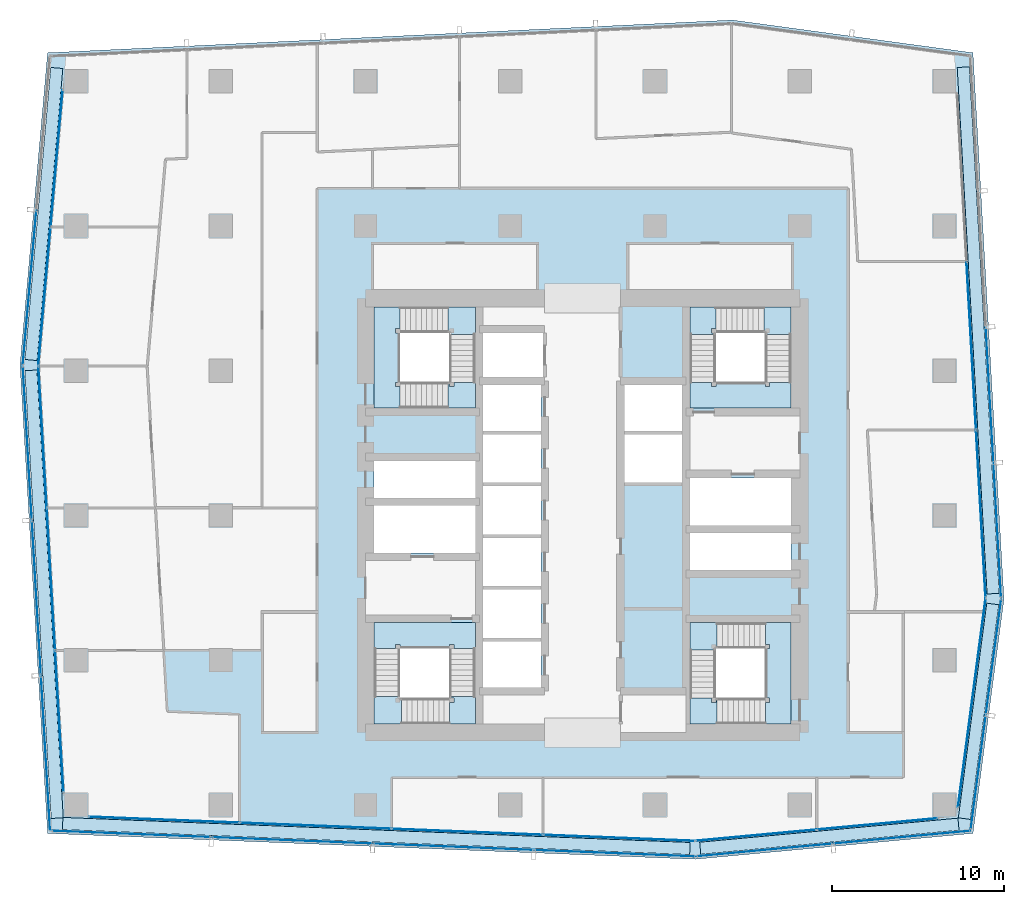
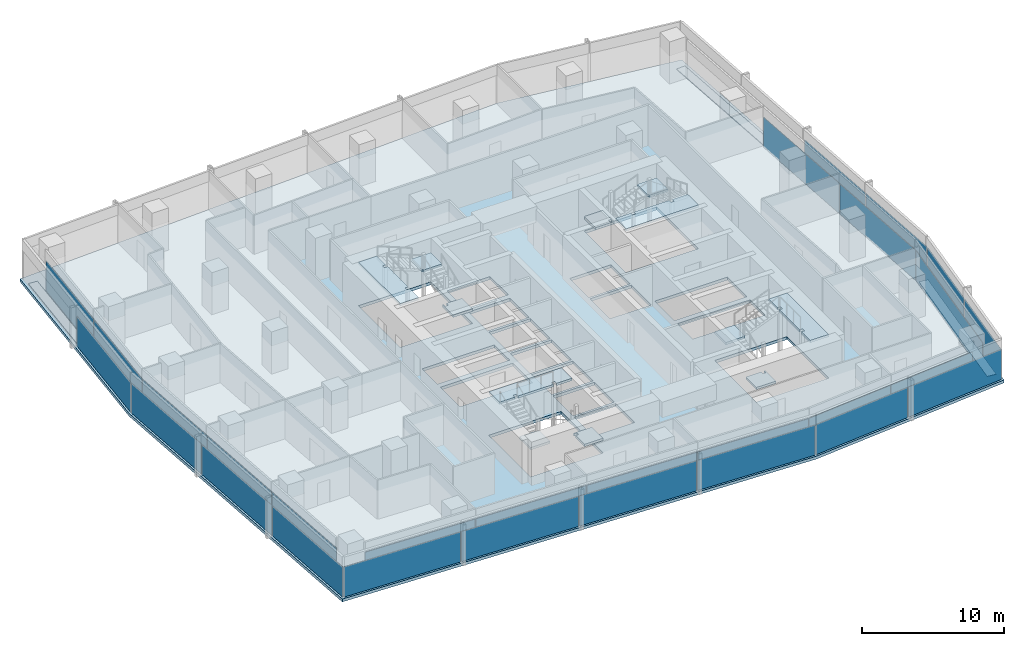
# One storey, part 26 of 39: 34 plates, 13 slabs, 16 elements without a shape of their own.
"""IFC4 building model written with IfcOpenShell, lengths in metres."""

from ifc_helpers import new_model, si_unit, direction, frame, origin, origin_2d, place, context, subcontext, project, spatial, polyline, rectangle, outline, extrude, material, layer, layer_set, type_object, element, aggregate, save


model = new_model("IFC4")

# Units and contexts
model_context = context("Model", 3, precision=1e-05, world=origin(), true_north=direction((0.0, 1.0)))
body_context = subcontext(model_context, "Body", "Model", "MODEL_VIEW")
ifc_project = project(units=[si_unit("LENGTHUNIT", "METRE"), si_unit("AREAUNIT", "SQUARE_METRE"), si_unit("VOLUMEUNIT", "CUBIC_METRE"), si_unit("PLANEANGLEUNIT", "RADIAN"), si_unit("MASSUNIT", "GRAM", prefix="KILO")], contexts=[model_context])

# Site, building, storey
site_placement = place(None, origin())
site = spatial("IfcSite", under=ifc_project, at=site_placement, CompositionType="ELEMENT")
building_placement = place(site_placement, origin())
building = spatial("IfcBuilding", under=site, at=building_placement, Name="Rekha Terrace Tower", CompositionType="ELEMENT")
storey_placement = place(building_placement, frame((0.0, 0.0, 217.699951171875)))
storey = spatial("IfcBuildingStorey", under=building, at=storey_placement, Name="L55", CompositionType="ELEMENT", Elevation=217.699951171875)

# Curtain wall, plates
ifc_material_1 = material(Name="Aluminium framing", Category="aluminium")
curtain_wall_type_1 = type_object("IfcCurtainWallType", Name="CW1 double skin inner glazing", PredefinedType="USERDEFINED", material=ifc_material_1)
curtain_wall_1_placement = place(storey_placement, origin())
curtain_wall_1 = element("IfcCurtainWall", 1, at=curtain_wall_1_placement, inside=storey, type_object=curtain_wall_type_1, Name="CW1 double skin inner glazing", ObjectType="DOUBLE SKIN INNER GLAZING", PredefinedType="USERDEFINED")
ifc_material_2 = material(Name="Double-glazed low-e unit 32", Category="glass")
ifc_layer_1 = layer(ifc_material_2, 0.031982421875)
ifc_layer_set_1 = layer_set([ifc_layer_1], Name="Double-glazed low-e unit 32")
plate_type_1 = type_object("IfcPlateType", Name="CW1 jumbo vision panel, double-glazed low-e unit 32", PredefinedType="CURTAIN_PANEL", material=ifc_layer_set_1)
plate_1_placement = place(storey_placement, frame((13.51318359375, 15.94091796875, 0.0), z_axis=(0.0, 0.0, 1.0), x_axis=(0.999204775798, -0.039872497061, 0.0)))
plate_1 = element("IfcPlate", 2, at=plate_1_placement, type_object=plate_type_1, Name="CW1 panel 1.1", PredefinedType="CURTAIN_PANEL", context=body_context, shape_type="SweptSolid", body=[
    extrude(rectangle(XDim=8.7138671875, YDim=0.031982421875, at=origin_2d()), origin(), (0.0, 0.0, 1.0), 2.60009765625),
])
plate_2_placement = place(storey_placement, frame((22.301025390625, 15.59033203125, 0.0), z_axis=(0.0, 0.0, 1.0), x_axis=(0.999204775798, -0.039872497061, 0.0)))
plate_2 = element("IfcPlate", 3, at=plate_2_placement, type_object=plate_type_1, Name="CW1 panel 2.1", PredefinedType="CURTAIN_PANEL", context=body_context, shape_type="SweptSolid", body=[
    extrude(rectangle(XDim=8.746337890625, YDim=0.031982421875, at=origin_2d()), origin(), (0.0, 0.0, 1.0), 2.60009765625),
])
plate_3_placement = place(storey_placement, frame((31.10546875, 15.239013671875, 0.0), z_axis=(0.0, 0.0, 1.0), x_axis=(0.999204775798, -0.039872497061, 0.0)))
plate_3 = element("IfcPlate", 4, at=plate_3_placement, type_object=plate_type_1, Name="CW1 panel 3.1", PredefinedType="CURTAIN_PANEL", context=body_context, shape_type="SweptSolid", body=[
    extrude(rectangle(XDim=8.746337890625, YDim=0.031982421875, at=origin_2d()), origin(), (0.0, 0.0, 1.0), 2.60009765625),
])
plate_4_placement = place(storey_placement, frame((39.926025390625, 14.886962890625, 0.0), z_axis=(0.0, 0.0, 1.0), x_axis=(0.999204775798, -0.039872497061, 0.0)))
plate_4 = element("IfcPlate", 5, at=plate_4_placement, type_object=plate_type_1, Name="CW1 panel 4.1", PredefinedType="CURTAIN_PANEL", context=body_context, shape_type="SweptSolid", body=[
    extrude(rectangle(XDim=8.77880859375, YDim=0.031982421875, at=origin_2d()), origin(), (0.0, 0.0, 1.0), 2.60009765625),
])
aggregate(curtain_wall_1, [plate_1, plate_2, plate_3, plate_4])

curtain_wall_2_placement = place(storey_placement, origin())
curtain_wall_2 = element("IfcCurtainWall", 6, at=curtain_wall_2_placement, inside=storey, type_object=curtain_wall_type_1, Name="CW1 double skin inner glazing", ObjectType="DOUBLE SKIN INNER GLAZING", PredefinedType="USERDEFINED")
plate_5_placement = place(storey_placement, frame((47.863037109375, 15.042724609375, 0.0), z_axis=(0.0, 0.0, 1.0), x_axis=(0.995693258742, 0.092708869564, 0.0)))
plate_5 = element("IfcPlate", 7, at=plate_5_placement, type_object=plate_type_1, Name="CW1 panel 1.1", PredefinedType="CURTAIN_PANEL", context=body_context, shape_type="SweptSolid", body=[
    extrude(rectangle(XDim=7.003173828125, YDim=0.031982421875, at=origin_2d()), origin(), (0.0, 0.0, 1.0), 2.60009765625),
])
plate_6_placement = place(storey_placement, frame((54.90087890625, 15.697998046875, 0.0), z_axis=(0.0, 0.0, 1.0), x_axis=(0.995693258742, 0.092708869564, 0.0)))
plate_6 = element("IfcPlate", 8, at=plate_6_placement, type_object=plate_type_1, Name="CW1 panel 2.1", PredefinedType="CURTAIN_PANEL", context=body_context, shape_type="SweptSolid", body=[
    extrude(rectangle(XDim=7.003173828125, YDim=0.031982421875, at=origin_2d()), origin(), (0.0, 0.0, 1.0), 2.60009765625),
])
aggregate(curtain_wall_2, [plate_5, plate_6])

# Curtain wall, plate
curtain_wall_3_placement = place(storey_placement, origin())
curtain_wall_3 = element("IfcCurtainWall", 9, at=curtain_wall_3_placement, inside=storey, type_object=curtain_wall_type_1, Name="CW1 double skin inner glazing", ObjectType="DOUBLE SKIN INNER GLAZING", PredefinedType="USERDEFINED")
plate_7_placement = place(storey_placement, frame((60.38330078125, 22.718505859375, 0.0), z_axis=(0.0, 0.0, 1.0), x_axis=(0.131303603093, 0.991342203185, 0.0)))
plate_7 = element("IfcPlate", 10, at=plate_7_placement, type_object=plate_type_1, Name="CW1 panel 1.1", PredefinedType="CURTAIN_PANEL", context=body_context, shape_type="SweptSolid", body=[
    extrude(rectangle(XDim=12.228759765625, YDim=0.031982421875, at=origin_2d()), origin(), (0.0, 0.0, 1.0), 2.60009765625),
])
aggregate(curtain_wall_3, [plate_7])

# Curtain wall, plates
curtain_wall_4_placement = place(storey_placement, origin())
curtain_wall_4 = element("IfcCurtainWall", 11, at=curtain_wall_4_placement, inside=storey, type_object=curtain_wall_type_1, Name="CW1 double skin inner glazing", ObjectType="DOUBLE SKIN INNER GLAZING", PredefinedType="USERDEFINED")
plate_8_placement = place(storey_placement, frame((60.90771484375, 33.68408203125, 0.0), z_axis=(0.0, 0.0, 1.0), x_axis=(-0.05667319486, 0.998392782919, 0.0)))
plate_8 = element("IfcPlate", 12, at=plate_8_placement, type_object=plate_type_1, Name="CW1 panel 1.1", PredefinedType="CURTAIN_PANEL", context=body_context, shape_type="SweptSolid", body=[
    extrude(rectangle(XDim=9.694091796875, YDim=0.031982421875, at=origin_2d()), origin(), (0.0, 0.0, 1.0), 2.60009765625),
])
plate_9_placement = place(storey_placement, frame((60.353759765625, 43.44384765625, 0.0), z_axis=(0.0, 0.0, 1.0), x_axis=(-0.05667319486, 0.998392782919, 0.0)))
plate_9 = element("IfcPlate", 13, at=plate_9_placement, type_object=plate_type_1, Name="CW1 panel 2.1", PredefinedType="CURTAIN_PANEL", context=body_context, shape_type="SweptSolid", body=[
    extrude(rectangle(XDim=9.7265625, YDim=0.031982421875, at=origin_2d()), origin(), (0.0, 0.0, 1.0), 2.60009765625),
])
aggregate(curtain_wall_4, [plate_8, plate_9])

curtain_wall_5_placement = place(storey_placement, origin())
curtain_wall_5 = element("IfcCurtainWall", 14, at=curtain_wall_5_placement, inside=storey, type_object=curtain_wall_type_1, Name="CW1 double skin inner glazing", ObjectType="DOUBLE SKIN INNER GLAZING", PredefinedType="USERDEFINED")
plate_10_placement = place(storey_placement, frame((7.273193359375, 54.32421875, 0.0), z_axis=(0.0, 0.0, 1.0), x_axis=(-0.087957985523, -0.996124185422, 0.0)))
plate_10 = element("IfcPlate", 15, at=plate_10_placement, type_object=plate_type_1, Name="CW1 panel 1.1", PredefinedType="CURTAIN_PANEL", context=body_context, shape_type="SweptSolid", body=[
    extrude(rectangle(XDim=7.950927734375, YDim=0.031982421875, at=origin_2d()), origin(), (0.0, 0.0, 1.0), 2.60009765625),
])
plate_11_placement = place(storey_placement, frame((6.565185546875, 46.306884765625, 0.0), z_axis=(0.0, 0.0, 1.0), x_axis=(-0.087957985523, -0.996124185422, 0.0)))
plate_11 = element("IfcPlate", 16, at=plate_11_placement, type_object=plate_type_1, Name="CW1 panel 2.1", PredefinedType="CURTAIN_PANEL", context=body_context, shape_type="SweptSolid", body=[
    extrude(rectangle(XDim=8.01611328125, YDim=0.031982421875, at=origin_2d()), origin(), (0.0, 0.0, 1.0), 2.60009765625),
])
aggregate(curtain_wall_5, [plate_10, plate_11])

curtain_wall_6_placement = place(storey_placement, origin())
curtain_wall_6 = element("IfcCurtainWall", 17, at=curtain_wall_6_placement, inside=storey, type_object=curtain_wall_type_1, Name="CW1 double skin inner glazing", ObjectType="DOUBLE SKIN INNER GLAZING", PredefinedType="USERDEFINED")
plate_12_placement = place(storey_placement, frame((6.457275390625, 38.1611328125, 0.0), z_axis=(0.0, 0.0, 1.0), x_axis=(0.058765082516, -0.998271839269, 0.0)))
plate_12 = element("IfcPlate", 18, at=plate_12_placement, type_object=plate_type_1, Name="CW1 panel 1.1", PredefinedType="CURTAIN_PANEL", context=body_context, shape_type="SweptSolid", body=[
    extrude(rectangle(XDim=8.19091796875, YDim=0.031982421875, at=origin_2d()), origin(), (0.0, 0.0, 1.0), 2.60009765625),
])
plate_13_placement = place(storey_placement, frame((6.943359375, 29.9033203125, 0.0), z_axis=(0.0, 0.0, 1.0), x_axis=(0.058765082516, -0.998271839269, 0.0)))
plate_13 = element("IfcPlate", 19, at=plate_13_placement, type_object=plate_type_1, Name="CW1 panel 2.1", PredefinedType="CURTAIN_PANEL", context=body_context, shape_type="SweptSolid", body=[
    extrude(rectangle(XDim=8.223388671875, YDim=0.031982421875, at=origin_2d()), origin(), (0.0, 0.0, 1.0), 2.60009765625),
])
plate_14_placement = place(storey_placement, frame((7.429443359375, 21.645263671875, 0.0), z_axis=(0.0, 0.0, 1.0), x_axis=(0.058765082516, -0.998271839269, 0.0)))
plate_14 = element("IfcPlate", 20, at=plate_14_placement, type_object=plate_type_1, Name="CW1 panel 3.1", PredefinedType="CURTAIN_PANEL", context=body_context, shape_type="SweptSolid", body=[
    extrude(rectangle(XDim=8.19091796875, YDim=0.031982421875, at=origin_2d()), origin(), (0.0, 0.0, 1.0), 2.60009765625),
])
aggregate(curtain_wall_6, [plate_12, plate_13, plate_14])

curtain_wall_type_2 = type_object("IfcCurtainWallType", Name="CW2 double skin outer glazing", PredefinedType="USERDEFINED", material=ifc_material_1)
curtain_wall_7_placement = place(storey_placement, origin())
curtain_wall_7 = element("IfcCurtainWall", 21, at=curtain_wall_7_placement, inside=storey, type_object=curtain_wall_type_2, Name="CW2 double skin outer glazing", ObjectType="DOUBLE SKIN OUTER GLAZING", PredefinedType="USERDEFINED")
ifc_material_3 = material(Name="Toughened single glazing 12", Category="glass")
ifc_layer_2 = layer(ifc_material_3, 0.011962890625)
ifc_layer_set_2 = layer_set([ifc_layer_2], Name="Toughened single glazing 12")
plate_type_2 = type_object("IfcPlateType", Name="CW2 jumbo vision panel, toughened single glazing 12", PredefinedType="CURTAIN_PANEL", material=ifc_layer_set_2)
plate_15_placement = place(storey_placement, frame((11.6005859375, 15.116455078125, 0.0), z_axis=(0.0, 0.0, 1.0), x_axis=(0.999204775799, -0.039872497044, 0.0)))
plate_15 = element("IfcPlate", 22, at=plate_15_placement, type_object=plate_type_2, Name="CW2 panel 1.1", PredefinedType="CURTAIN_PANEL", context=body_context, shape_type="SweptSolid", body=[
    extrude(rectangle(XDim=9.24609375, YDim=0.011962890625, at=origin_2d()), origin(), (0.0, 0.0, 1.0), 2.60009765625),
])
plate_16_placement = place(storey_placement, frame((20.939208984375, 14.743896484375, 0.0), z_axis=(0.0, 0.0, 1.0), x_axis=(0.999204775799, -0.039872497044, 0.0)))
plate_16 = element("IfcPlate", 23, at=plate_16_placement, type_object=plate_type_2, Name="CW2 panel 2.1", PredefinedType="CURTAIN_PANEL", context=body_context, shape_type="SweptSolid", body=[
    extrude(rectangle(XDim=9.2861328125, YDim=0.011962890625, at=origin_2d()), origin(), (0.0, 0.0, 1.0), 2.60009765625),
])
plate_17_placement = place(storey_placement, frame((30.2978515625, 14.370361328125, 0.0), z_axis=(0.0, 0.0, 1.0), x_axis=(0.999204775799, -0.039872497044, 0.0)))
plate_17 = element("IfcPlate", 24, at=plate_17_placement, type_object=plate_type_2, Name="CW2 panel 3.1", PredefinedType="CURTAIN_PANEL", context=body_context, shape_type="SweptSolid", body=[
    extrude(rectangle(XDim=9.2861328125, YDim=0.011962890625, at=origin_2d()), origin(), (0.0, 0.0, 1.0), 2.60009765625),
])
plate_18_placement = place(storey_placement, frame((39.676513671875, 13.996337890625, 0.0), z_axis=(0.0, 0.0, 1.0), x_axis=(0.999204775799, -0.039872497044, 0.0)))
plate_18 = element("IfcPlate", 25, at=plate_18_placement, type_object=plate_type_2, Name="CW2 panel 4.1", PredefinedType="CURTAIN_PANEL", context=body_context, shape_type="SweptSolid", body=[
    extrude(rectangle(XDim=9.326171875, YDim=0.011962890625, at=origin_2d()), origin(), (0.0, 0.0, 1.0), 2.60009765625),
])
aggregate(curtain_wall_7, [plate_15, plate_16, plate_17, plate_18])

curtain_wall_8_placement = place(storey_placement, origin())
curtain_wall_8 = element("IfcCurtainWall", 26, at=curtain_wall_8_placement, inside=storey, type_object=curtain_wall_type_2, Name="CW2 double skin outer glazing", ObjectType="DOUBLE SKIN OUTER GLAZING", PredefinedType="USERDEFINED")
plate_19_placement = place(storey_placement, frame((48.348876953125, 14.183837890625, 0.0), z_axis=(0.0, 0.0, 1.0), x_axis=(0.995693258747, 0.092708869512, 0.0)))
plate_19 = element("IfcPlate", 27, at=plate_19_placement, type_object=plate_type_2, Name="CW2 panel 1.1", PredefinedType="CURTAIN_PANEL", context=body_context, shape_type="SweptSolid", body=[
    extrude(rectangle(XDim=7.900634765625, YDim=0.011962890625, at=origin_2d()), origin(), (0.0, 0.0, 1.0), 2.60009765625),
])
plate_20_placement = place(storey_placement, frame((56.3349609375, 14.927490234375, 0.0), z_axis=(0.0, 0.0, 1.0), x_axis=(0.995693258747, 0.092708869512, 0.0)))
plate_20 = element("IfcPlate", 28, at=plate_20_placement, type_object=plate_type_2, Name="CW2 panel 2.1", PredefinedType="CURTAIN_PANEL", context=body_context, shape_type="SweptSolid", body=[
    extrude(rectangle(XDim=7.980712890625, YDim=0.011962890625, at=origin_2d()), origin(), (0.0, 0.0, 1.0), 2.60009765625),
])
aggregate(curtain_wall_8, [plate_19, plate_20])

curtain_wall_9_placement = place(storey_placement, origin())
curtain_wall_9 = element("IfcCurtainWall", 29, at=curtain_wall_9_placement, inside=storey, type_object=curtain_wall_type_2, Name="CW2 double skin outer glazing", ObjectType="DOUBLE SKIN OUTER GLAZING", PredefinedType="USERDEFINED")
plate_21_placement = place(storey_placement, frame((60.756103515625, 18.679443359375, 0.0), z_axis=(0.0, 0.0, 1.0), x_axis=(0.131303603075, 0.991342203187, 0.0)))
plate_21 = element("IfcPlate", 30, at=plate_21_placement, type_object=plate_type_2, Name="CW2 panel 1.1", PredefinedType="CURTAIN_PANEL", context=body_context, shape_type="SweptSolid", body=[
    extrude(rectangle(XDim=6.6630859375, YDim=0.011962890625, at=origin_2d()), origin(), (0.0, 0.0, 1.0), 2.60009765625),
])
plate_22_placement = place(storey_placement, frame((61.646728515625, 25.40380859375, 0.0), z_axis=(0.0, 0.0, 1.0), x_axis=(0.131303603075, 0.991342203187, 0.0)))
plate_22 = element("IfcPlate", 31, at=plate_22_placement, type_object=plate_type_2, Name="CW2 panel 2.1", PredefinedType="CURTAIN_PANEL", context=body_context, shape_type="SweptSolid", body=[
    extrude(rectangle(XDim=6.742919921875, YDim=0.011962890625, at=origin_2d()), origin(), (0.0, 0.0, 1.0), 2.60009765625),
])
aggregate(curtain_wall_9, [plate_21, plate_22])

curtain_wall_10_placement = place(storey_placement, origin())
curtain_wall_10 = element("IfcCurtainWall", 32, at=curtain_wall_10_placement, inside=storey, type_object=curtain_wall_type_2, Name="CW2 double skin outer glazing", ObjectType="DOUBLE SKIN OUTER GLAZING", PredefinedType="USERDEFINED")
plate_23_placement = place(storey_placement, frame((61.8642578125, 32.71142578125, 0.0), z_axis=(0.0, 0.0, 1.0), x_axis=(-0.05667319486, 0.998392782919, 0.0)))
plate_23 = element("IfcPlate", 33, at=plate_23_placement, type_object=plate_type_2, Name="CW2 panel 1.1", PredefinedType="CURTAIN_PANEL", context=body_context, shape_type="SweptSolid", body=[
    extrude(rectangle(XDim=7.783447265625, YDim=0.011962890625, at=origin_2d()), origin(), (0.0, 0.0, 1.0), 2.60009765625),
])
plate_24_placement = place(storey_placement, frame((61.41748046875, 40.582275390625, 0.0), z_axis=(0.0, 0.0, 1.0), x_axis=(-0.05667319486, 0.998392782919, 0.0)))
plate_24 = element("IfcPlate", 34, at=plate_24_placement, type_object=plate_type_2, Name="CW2 panel 2.1", PredefinedType="CURTAIN_PANEL", context=body_context, shape_type="SweptSolid", body=[
    extrude(rectangle(XDim=7.823486328125, YDim=0.011962890625, at=origin_2d()), origin(), (0.0, 0.0, 1.0), 2.60009765625),
])
aggregate(curtain_wall_10, [plate_23, plate_24])

# Curtain wall, plate
curtain_wall_11_placement = place(storey_placement, origin())
curtain_wall_11 = element("IfcCurtainWall", 35, at=curtain_wall_11_placement, inside=storey, type_object=curtain_wall_type_2, Name="CW2 double skin outer glazing", ObjectType="DOUBLE SKIN OUTER GLAZING", PredefinedType="USERDEFINED")
plate_25_placement = place(storey_placement, frame((5.705322265625, 46.800048828125, 0.0), z_axis=(0.0, 0.0, 1.0), x_axis=(-0.087957985453, -0.996124185428, 0.0)))
plate_25 = element("IfcPlate", 36, at=plate_25_placement, type_object=plate_type_2, Name="CW2 panel 2.1", PredefinedType="CURTAIN_PANEL", context=body_context, shape_type="SweptSolid", body=[
    extrude(rectangle(XDim=8.9794921875, YDim=0.011962890625, at=origin_2d()), origin(), (0.0, 0.0, 1.0), 2.60009765625),
])
aggregate(curtain_wall_11, [plate_25])

# Curtain wall, plates
curtain_wall_12_placement = place(storey_placement, origin())
curtain_wall_12 = element("IfcCurtainWall", 37, at=curtain_wall_12_placement, inside=storey, type_object=curtain_wall_type_2, Name="CW2 double skin outer glazing", ObjectType="DOUBLE SKIN OUTER GLAZING", PredefinedType="USERDEFINED")
plate_26_placement = place(storey_placement, frame((5.57666015625, 37.8037109375, 0.0), z_axis=(0.0, 0.0, 1.0), x_axis=(0.058765082499, -0.99827183927, 0.0)))
plate_26 = element("IfcPlate", 38, at=plate_26_placement, type_object=plate_type_2, Name="CW2 panel 1.1", PredefinedType="CURTAIN_PANEL", context=body_context, shape_type="SweptSolid", body=[
    extrude(rectangle(XDim=8.903564453125, YDim=0.011962890625, at=origin_2d()), origin(), (0.0, 0.0, 1.0), 2.60009765625),
])
plate_27_placement = place(storey_placement, frame((6.105712890625, 28.81591796875, 0.0), z_axis=(0.0, 0.0, 1.0), x_axis=(0.058765082499, -0.99827183927, 0.0)))
plate_27 = element("IfcPlate", 39, at=plate_27_placement, type_object=plate_type_2, Name="CW2 panel 2.1", PredefinedType="CURTAIN_PANEL", context=body_context, shape_type="SweptSolid", body=[
    extrude(rectangle(XDim=8.943359375, YDim=0.011962890625, at=origin_2d()), origin(), (0.0, 0.0, 1.0), 2.60009765625),
])
plate_28_placement = place(storey_placement, frame((6.63720703125, 19.7880859375, 0.0), z_axis=(0.0, 0.0, 1.0), x_axis=(0.058765082499, -0.99827183927, 0.0)))
plate_28 = element("IfcPlate", 40, at=plate_28_placement, type_object=plate_type_2, Name="CW2 panel 3.1", PredefinedType="CURTAIN_PANEL", context=body_context, shape_type="SweptSolid", body=[
    extrude(rectangle(XDim=8.9833984375, YDim=0.011962890625, at=origin_2d()), origin(), (0.0, 0.0, 1.0), 2.60009765625),
])
aggregate(curtain_wall_12, [plate_26, plate_27, plate_28])

# Plates
ifc_material_4 = material(Name="Galvanised steel open grating", Category="steel")
ifc_layer_3 = layer(ifc_material_4, 0.050048828125)
ifc_layer_set_3 = layer_set([ifc_layer_3], Name="Galvanised steel open grating")
plate_type_3 = type_object("IfcPlateType", Name="GT1 cavity walkway grating 50", PredefinedType="USERDEFINED", material=ifc_layer_set_3)
plate_29_placement = place(storey_placement, frame((25.8251953125, 14.999267578125, 0.0), z_axis=(0.0, 0.0, 1.0), x_axis=(0.999204775799, -0.039872497044, 0.0)))
element("IfcPlate", 41, at=plate_29_placement, inside=storey, type_object=plate_type_3, Name="Cavity walkway grating", ObjectType="CAVITY WALKWAY GRATING", PredefinedType="USERDEFINED", context=body_context, shape_type="SweptSolid", body=[
    extrude(rectangle(XDim=36.4267578125, YDim=0.705078125, at=origin_2d()), origin(), (0.0, 0.0, 1.0), 0.050048828125),
])
plate_30_placement = place(storey_placement, frame((52.116455078125, 14.98681640625, 0.0), z_axis=(0.0, 0.0, 1.0), x_axis=(0.995693258745, 0.092708869529, 0.0)))
element("IfcPlate", 42, at=plate_30_placement, inside=storey, type_object=plate_type_3, Name="Cavity walkway grating", ObjectType="CAVITY WALKWAY GRATING", PredefinedType="USERDEFINED", context=body_context, shape_type="SweptSolid", body=[
    extrude(rectangle(XDim=15.052734375, YDim=0.705078125, at=origin_2d()), origin(), (0.0, 0.0, 1.0), 0.050048828125),
])
plate_31_placement = place(storey_placement, frame((60.7734375, 22.237548828125, 0.0), z_axis=(0.0, 0.0, 1.0), x_axis=(0.131303603075, 0.991342203187, 0.0)))
element("IfcPlate", 43, at=plate_31_placement, inside=storey, type_object=plate_type_3, Name="Cavity walkway grating", ObjectType="CAVITY WALKWAY GRATING", PredefinedType="USERDEFINED", context=body_context, shape_type="SweptSolid", body=[
    extrude(rectangle(XDim=12.564697265625, YDim=0.705078125, at=origin_2d()), origin(), (0.0, 0.0, 1.0), 0.050048828125),
])
plate_32_placement = place(storey_placement, frame((60.753662109375, 44.338134765625, 0.0), z_axis=(0.0, 0.0, 1.0), x_axis=(-0.05667319486, 0.998392782919, 0.0)))
element("IfcPlate", 44, at=plate_32_placement, inside=storey, type_object=plate_type_3, Name="Cavity walkway grating", ObjectType="CAVITY WALKWAY GRATING", PredefinedType="USERDEFINED", context=body_context, shape_type="SweptSolid", body=[
    extrude(rectangle(XDim=30.6005859375, YDim=0.705078125, at=origin_2d()), origin(), (0.0, 0.0, 1.0), 0.050048828125),
])
plate_33_placement = place(storey_placement, frame((6.5361328125, 51.093505859375, 0.0), z_axis=(0.0, 0.0, 1.0), x_axis=(-0.087957985471, -0.996124185427, 0.0)))
element("IfcPlate", 45, at=plate_33_placement, inside=storey, type_object=plate_type_3, Name="Cavity walkway grating", ObjectType="CAVITY WALKWAY GRATING", PredefinedType="USERDEFINED", context=body_context, shape_type="SweptSolid", body=[
    extrude(rectangle(XDim=17.013427734375, YDim=0.705078125, at=origin_2d()), origin(), (0.0, 0.0, 1.0), 0.050048828125),
])
plate_34_placement = place(storey_placement, frame((6.5439453125, 29.029296875, 0.0), z_axis=(0.0, 0.0, 1.0), x_axis=(0.058765082516, -0.998271839269, 0.0)))
element("IfcPlate", 46, at=plate_34_placement, inside=storey, type_object=plate_type_3, Name="Cavity walkway grating", ObjectType="CAVITY WALKWAY GRATING", PredefinedType="USERDEFINED", context=body_context, shape_type="SweptSolid", body=[
    extrude(rectangle(XDim=26.029541015625, YDim=0.705078125, at=origin_2d()), origin(), (0.0, 0.0, 1.0), 0.050048828125),
])

# Stair, slabs
ifc_material_5 = material(Name="Concrete M40", Category="concrete")
stair_type = type_object("IfcStairType", Name="ST30 stair, 30 risers of 125, going 310, 1500 wide flights, 3 flights", PredefinedType="HALF_TURN_STAIR", material=ifc_material_5)
stair_1_placement = place(storey_placement, origin())
stair_1 = element("IfcStair", 47, at=stair_1_placement, inside=storey, type_object=stair_type, Name="Stair ST1 L55 to L56", PredefinedType="HALF_TURN_STAIR")
ifc_layer_4 = layer(ifc_material_5, 0.199951171875)
ifc_layer_set_4 = layer_set([ifc_layer_4], Name="Concrete M40")
slab_type_1 = type_object("IfcSlabType", Name="LD1 200 concrete stair landing", PredefinedType="LANDING", material=ifc_layer_set_4)
slab_1_placement = place(storey_placement, frame((0.0, 0.0, 1.050048828125)))
slab_1 = element("IfcSlab", 48, at=slab_1_placement, type_object=slab_type_1, Name="ST1 landing 1", PredefinedType="LANDING", context=body_context, shape_type="SweptSolid", body=[
    extrude(outline(polyline([(30.074951171875, 21.5), (31.574951171875, 21.5), (31.574951171875, 23.0849609375), (30.074951171875, 23.0849609375), (30.074951171875, 23.0), (30.324951171875, 23.0), (30.324951171875, 22.75), (30.074951171875, 22.75), (30.074951171875, 21.5)])), origin(), (0.0, 0.0, 1.0), 0.199951171875),
])
slab_2_placement = place(storey_placement, frame((0.0, 0.0, 2.300048828125)))
slab_2 = element("IfcSlab", 49, at=slab_2_placement, type_object=slab_type_1, Name="ST1 landing 2", PredefinedType="LANDING", context=body_context, shape_type="SweptSolid", body=[
    extrude(outline(polyline([(27.199951171875, 23.0849609375), (25.699951171875, 23.0849609375), (25.699951171875, 21.5), (27.284912109375, 21.5), (27.284912109375, 23.0), (27.199951171875, 23.0), (27.199951171875, 23.0849609375)])), origin(), (0.0, 0.0, 1.0), 0.199951171875),
])
slab_3_placement = place(storey_placement, frame((0.0, 0.0, 3.550048828125)))
slab_3 = element("IfcSlab", 50, at=slab_3_placement, type_object=slab_type_1, Name="ST1 landing 3", PredefinedType="LANDING", context=body_context, shape_type="SweptSolid", body=[
    extrude(outline(polyline([(31.574951171875, 25.875), (31.574951171875, 27.375), (25.699951171875, 27.375), (25.699951171875, 25.875), (26.949951171875, 25.875), (26.949951171875, 26.125), (27.199951171875, 26.125), (27.199951171875, 25.875), (30.074951171875, 25.875), (30.074951171875, 26.125), (30.324951171875, 26.125), (30.324951171875, 25.875), (31.574951171875, 25.875)])), origin(), (0.0, 0.0, 1.0), 0.199951171875),
])
aggregate(stair_1, [slab_1, slab_2, slab_3])

stair_2_placement = place(storey_placement, origin())
stair_2 = element("IfcStair", 51, at=stair_2_placement, inside=storey, type_object=stair_type, Name="Stair ST2 L55 to L56", PredefinedType="HALF_TURN_STAIR")
slab_4_placement = place(storey_placement, frame((0.0, 0.0, 1.050048828125)))
slab_4 = element("IfcSlab", 52, at=slab_4_placement, type_object=slab_type_1, Name="ST2 landing 1", PredefinedType="LANDING", context=body_context, shape_type="SweptSolid", body=[
    extrude(outline(polyline([(45.52490234375, 45.699951171875), (44.02490234375, 45.699951171875), (44.02490234375, 44.114990234375), (45.52490234375, 44.114990234375), (45.52490234375, 44.199951171875), (45.27490234375, 44.199951171875), (45.27490234375, 44.449951171875), (45.52490234375, 44.449951171875), (45.52490234375, 45.699951171875)])), origin(), (0.0, 0.0, 1.0), 0.199951171875),
])
slab_5_placement = place(storey_placement, frame((0.0, 0.0, 2.300048828125)))
slab_5 = element("IfcSlab", 53, at=slab_5_placement, type_object=slab_type_1, Name="ST2 landing 2", PredefinedType="LANDING", context=body_context, shape_type="SweptSolid", body=[
    extrude(outline(polyline([(48.39990234375, 44.114990234375), (49.89990234375, 44.114990234375), (49.89990234375, 45.699951171875), (48.31494140625, 45.699951171875), (48.31494140625, 44.199951171875), (48.39990234375, 44.199951171875), (48.39990234375, 44.114990234375)])), origin(), (0.0, 0.0, 1.0), 0.199951171875),
])
slab_6_placement = place(storey_placement, frame((0.0, 0.0, 3.550048828125)))
slab_6 = element("IfcSlab", 54, at=slab_6_placement, type_object=slab_type_1, Name="ST2 landing 3", PredefinedType="LANDING", context=body_context, shape_type="SweptSolid", body=[
    extrude(outline(polyline([(44.02490234375, 41.324951171875), (44.02490234375, 39.824951171875), (49.89990234375, 39.824951171875), (49.89990234375, 41.324951171875), (48.64990234375, 41.324951171875), (48.64990234375, 41.074951171875), (48.39990234375, 41.074951171875), (48.39990234375, 41.324951171875), (45.52490234375, 41.324951171875), (45.52490234375, 41.074951171875), (45.27490234375, 41.074951171875), (45.27490234375, 41.324951171875), (44.02490234375, 41.324951171875)])), origin(), (0.0, 0.0, 1.0), 0.199951171875),
])
aggregate(stair_2, [slab_4, slab_5, slab_6])

stair_3_placement = place(storey_placement, origin())
stair_3 = element("IfcStair", 55, at=stair_3_placement, inside=storey, type_object=stair_type, Name="Stair ST3 L55 to L56", PredefinedType="HALF_TURN_STAIR")
slab_7_placement = place(storey_placement, frame((0.0, 0.0, 1.050048828125)))
slab_7 = element("IfcSlab", 56, at=slab_7_placement, type_object=slab_type_1, Name="ST3 landing 1", PredefinedType="LANDING", context=body_context, shape_type="SweptSolid", body=[
    extrude(outline(polyline([(44.02490234375, 23.0), (44.02490234375, 21.5), (45.610107421875, 21.5), (45.610107421875, 23.0), (45.52490234375, 23.0), (45.52490234375, 22.75), (45.27490234375, 22.75), (45.27490234375, 23.0), (44.02490234375, 23.0)])), origin(), (0.0, 0.0, 1.0), 0.199951171875),
])
slab_8_placement = place(storey_placement, frame((0.0, 0.0, 2.300048828125)))
slab_8 = element("IfcSlab", 57, at=slab_8_placement, type_object=slab_type_1, Name="ST3 landing 2", PredefinedType="LANDING", context=body_context, shape_type="SweptSolid", body=[
    extrude(outline(polyline([(45.610107421875, 25.875), (45.610107421875, 27.375), (44.02490234375, 27.375), (44.02490234375, 25.7900390625), (45.52490234375, 25.7900390625), (45.52490234375, 25.875), (45.610107421875, 25.875)])), origin(), (0.0, 0.0, 1.0), 0.199951171875),
])
slab_9_placement = place(storey_placement, frame((0.0, 0.0, 3.550048828125)))
slab_9 = element("IfcSlab", 58, at=slab_9_placement, type_object=slab_type_1, Name="ST3 landing 3", PredefinedType="LANDING", context=body_context, shape_type="SweptSolid", body=[
    extrude(outline(polyline([(48.39990234375, 21.5), (49.89990234375, 21.5), (49.89990234375, 27.375), (48.39990234375, 27.375), (48.39990234375, 26.125), (48.64990234375, 26.125), (48.64990234375, 25.875), (48.39990234375, 25.875), (48.39990234375, 23.0), (48.64990234375, 23.0), (48.64990234375, 22.75), (48.39990234375, 22.75), (48.39990234375, 21.5)])), origin(), (0.0, 0.0, 1.0), 0.199951171875),
])
aggregate(stair_3, [slab_7, slab_8, slab_9])

stair_4_placement = place(storey_placement, origin())
stair_4 = element("IfcStair", 59, at=stair_4_placement, inside=storey, type_object=stair_type, Name="Stair ST4 L55 to L56", PredefinedType="HALF_TURN_STAIR")
slab_10_placement = place(storey_placement, frame((0.0, 0.0, 1.050048828125)))
slab_10 = element("IfcSlab", 60, at=slab_10_placement, type_object=slab_type_1, Name="ST4 landing 1", PredefinedType="LANDING", context=body_context, shape_type="SweptSolid", body=[
    extrude(outline(polyline([(31.574951171875, 41.324951171875), (31.574951171875, 39.824951171875), (29.989990234375, 39.824951171875), (29.989990234375, 41.324951171875), (30.074951171875, 41.324951171875), (30.074951171875, 41.074951171875), (30.324951171875, 41.074951171875), (30.324951171875, 41.324951171875), (31.574951171875, 41.324951171875)])), origin(), (0.0, 0.0, 1.0), 0.199951171875),
])
slab_11_placement = place(storey_placement, frame((0.0, 0.0, 2.300048828125)))
slab_11 = element("IfcSlab", 61, at=slab_11_placement, type_object=slab_type_1, Name="ST4 landing 2", PredefinedType="LANDING", context=body_context, shape_type="SweptSolid", body=[
    extrude(outline(polyline([(29.989990234375, 44.199951171875), (29.989990234375, 45.699951171875), (31.574951171875, 45.699951171875), (31.574951171875, 44.114990234375), (30.074951171875, 44.114990234375), (30.074951171875, 44.199951171875), (29.989990234375, 44.199951171875)])), origin(), (0.0, 0.0, 1.0), 0.199951171875),
])
slab_12_placement = place(storey_placement, frame((0.0, 0.0, 3.550048828125)))
slab_12 = element("IfcSlab", 62, at=slab_12_placement, type_object=slab_type_1, Name="ST4 landing 3", PredefinedType="LANDING", context=body_context, shape_type="SweptSolid", body=[
    extrude(outline(polyline([(27.199951171875, 39.824951171875), (25.699951171875, 39.824951171875), (25.699951171875, 45.699951171875), (27.199951171875, 45.699951171875), (27.199951171875, 44.449951171875), (26.949951171875, 44.449951171875), (26.949951171875, 44.199951171875), (27.199951171875, 44.199951171875), (27.199951171875, 41.324951171875), (26.949951171875, 41.324951171875), (26.949951171875, 41.074951171875), (27.199951171875, 41.074951171875), (27.199951171875, 39.824951171875)])), origin(), (0.0, 0.0, 1.0), 0.199951171875),
])
aggregate(stair_4, [slab_10, slab_11, slab_12])

# Slab
ifc_material_6 = material(Name="Concrete M50", Category="concrete")
ifc_layer_5 = layer(ifc_material_6, 0.25)
ifc_layer_set_5 = layer_set([ifc_layer_5], Name="Concrete M50")
slab_type_2 = type_object("IfcSlabType", Name="SL4 250 post-tensioned flat plate", PredefinedType="FLOOR", material=ifc_layer_set_5)
slab_13_placement = place(storey_placement, frame((0.0, 0.0, -0.25)))
element("IfcSlab", 63, at=slab_13_placement, inside=storey, type_object=slab_type_2, Name="Post-tensioned flat plate L55", PredefinedType="FLOOR", context=body_context, shape_type="SweptSolid", body=[
    extrude(outline(polyline([(5.14990234375, 42.330078125), (6.75, 15.14990234375), (44.340087890625, 13.64990234375), (60.449951171875, 15.14990234375), (62.25, 28.739990234375), (60.449951171875, 60.449951171875), (46.488037109375, 62.35009765625), (6.75, 60.449951171875), (5.14990234375, 42.330078125)]), holes=[polyline([(31.574951171875, 27.375), (31.574951171875, 21.5), (25.699951171875, 21.5), (25.699951171875, 27.375), (31.574951171875, 27.375)]), polyline([(35.375, 26.300048828125), (35.375, 23.625), (32.02490234375, 23.625), (32.02490234375, 26.300048828125), (35.375, 26.300048828125)]), polyline([(35.375, 29.300048828125), (35.375, 26.5), (32.02490234375, 26.5), (32.02490234375, 29.300048828125), (35.375, 29.300048828125)]), polyline([(35.375, 32.300048828125), (35.375, 29.5), (32.02490234375, 29.5), (32.02490234375, 32.300048828125), (35.375, 32.300048828125)]), polyline([(31.574951171875, 34.175048828125), (31.574951171875, 31.425048828125), (25.699951171875, 31.425048828125), (25.699951171875, 34.175048828125), (31.574951171875, 34.175048828125)]), polyline([(35.375, 35.300048828125), (35.375, 32.5), (32.02490234375, 32.5), (32.02490234375, 35.300048828125), (35.375, 35.300048828125)]), polyline([(31.574951171875, 36.77490234375), (31.574951171875, 34.625), (25.699951171875, 34.625), (25.699951171875, 36.77490234375), (31.574951171875, 36.77490234375)]), polyline([(35.375, 38.300048828125), (35.375, 35.5), (32.02490234375, 35.5), (32.02490234375, 38.300048828125), (35.375, 38.300048828125)]), polyline([(31.574951171875, 45.699951171875), (31.574951171875, 39.824951171875), (25.699951171875, 39.824951171875), (25.699951171875, 45.699951171875), (31.574951171875, 45.699951171875)]), polyline([(49.89990234375, 27.375), (49.89990234375, 21.5), (44.02490234375, 21.5), (44.02490234375, 27.375), (49.89990234375, 27.375)]), polyline([(49.89990234375, 32.574951171875), (49.89990234375, 30.425048828125), (44.02490234375, 30.425048828125), (44.02490234375, 32.574951171875), (49.89990234375, 32.574951171875)]), polyline([(49.89990234375, 35.77490234375), (49.89990234375, 33.02490234375), (44.02490234375, 33.02490234375), (44.02490234375, 35.77490234375), (49.89990234375, 35.77490234375)]), polyline([(43.574951171875, 38.300048828125), (43.574951171875, 35.5), (40.22509765625, 35.5), (40.22509765625, 38.300048828125), (43.574951171875, 38.300048828125)]), polyline([(35.375, 41.175048828125), (35.375, 38.5), (32.02490234375, 38.5), (32.02490234375, 41.175048828125), (35.375, 41.175048828125)]), polyline([(43.574951171875, 41.175048828125), (43.574951171875, 38.5), (40.22509765625, 38.5), (40.22509765625, 41.175048828125), (43.574951171875, 41.175048828125)]), polyline([(49.89990234375, 39.824951171875), (44.02490234375, 39.824951171875), (44.02490234375, 45.699951171875), (49.89990234375, 45.699951171875), (49.89990234375, 39.824951171875)]), polyline([(35.5, 41.625), (32.02490234375, 41.625), (32.02490234375, 44.175048828125), (35.5, 44.175048828125), (35.5, 41.625)])]), origin(), (0.0, 0.0, 1.0), 0.25),
])

save(model, "model.ifc")
